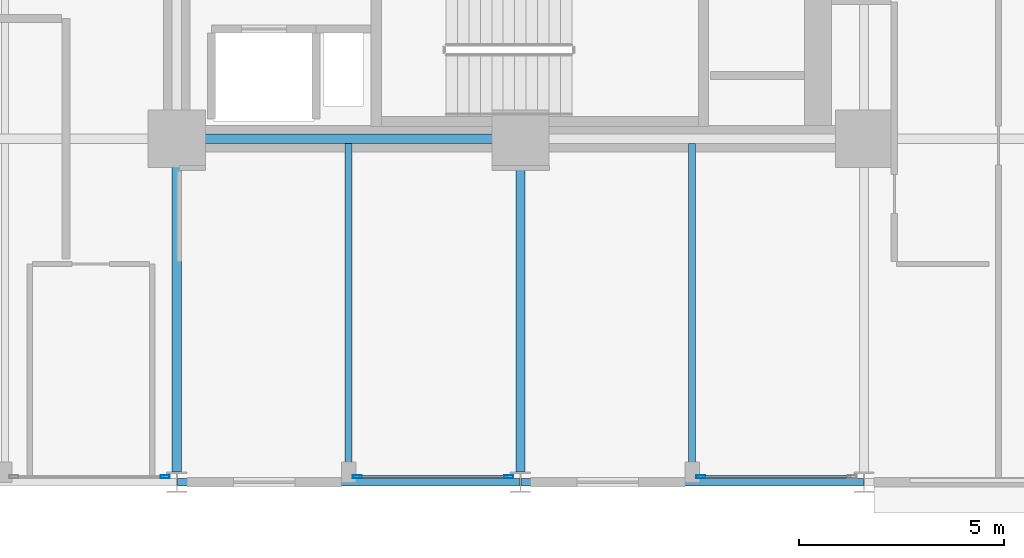
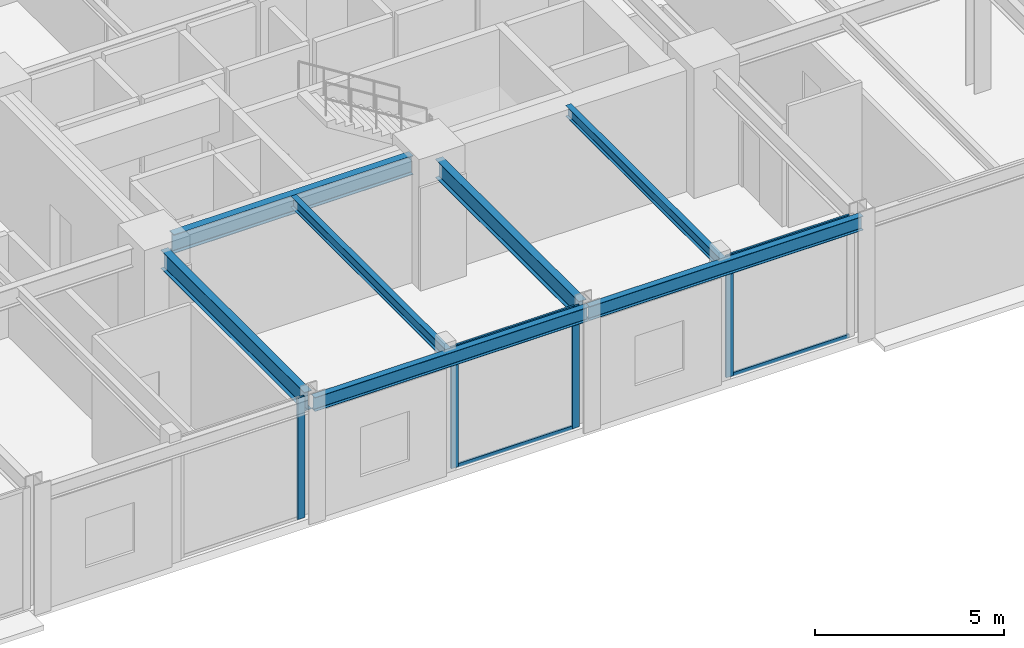
# One storey, part 6 of 27: 8 members, 7 beams, 3 elements without a shape of their own.
"""IFC4 building model written with IfcOpenShell, lengths in metres."""

from ifc_helpers import new_model, si_unit, direction, frame, origin, origin_2d, place, context, subcontext, project, spatial, hollow_rectangle, i_section, extrude, material, layer, layer_set, material_profile, profile_set, type_object, element, aggregate, save


model = new_model("IFC4")

# Units and contexts
model_context = context("Model", 3, precision=1e-05, world=origin(), true_north=direction((0.0, 1.0)))
body_context = subcontext(model_context, "Body", "Model", "MODEL_VIEW")
ifc_project = project(units=[si_unit("LENGTHUNIT", "METRE"), si_unit("AREAUNIT", "SQUARE_METRE"), si_unit("VOLUMEUNIT", "CUBIC_METRE"), si_unit("PLANEANGLEUNIT", "RADIAN"), si_unit("MASSUNIT", "GRAM", prefix="KILO")], contexts=[model_context])

# Site, building, storey
site_placement = place(None, origin())
site = spatial("IfcSite", under=ifc_project, at=site_placement, CompositionType="ELEMENT")
building_placement = place(site_placement, origin())
building = spatial("IfcBuilding", under=site, at=building_placement, Name="Nerrivon Quay Data Exchange", CompositionType="ELEMENT")
storey_placement = place(building_placement, frame((0.0, 0.0, 66.800048828125)))
storey = spatial("IfcBuildingStorey", under=building, at=storey_placement, Name="L15", CompositionType="ELEMENT", Elevation=66.800048828125)

# Beams
ifc_material_1 = material(Name="Steel Grade 350", Category="steel")
ifc_material_profile_1 = material_profile(ifc_material_1, i_section(OverallWidth=0.22900390625, OverallDepth=0.612060546875, WebThickness=0.011962890625, FlangeThickness=0.01953125, FilletRadius=0.013916015625, at=origin_2d()), Name="610UB125")
ifc_profile_set_1 = profile_set([ifc_material_profile_1], Name="Steel Grade 350")
beam_type_1 = type_object("IfcBeamType", Name="BM-G1-610UB125", PredefinedType="BEAM", material=ifc_profile_set_1)
beam_1_placement = place(storey_placement, frame((17.340087890625, 8.39990234375, 3.618896484375), z_axis=(1.0, 0.0, 0.0), x_axis=(0.0, 1.0, 0.0)))
element("IfcBeam", 1, at=beam_1_placement, inside=storey, type_object=beam_type_1, Name="L15 EW Girder Y=8.4 (16.8..25.2)", PredefinedType="BEAM", context=body_context, shape_type="SweptSolid", body=[
    extrude(i_section(OverallWidth=0.22900390625, OverallDepth=0.612060546875, WebThickness=0.011962890625, FlangeThickness=0.01953125, FilletRadius=0.013916015625, at=origin_2d()), origin(), (0.0, 0.0, 1.0), 7.31982421875),
])
ifc_material_profile_2 = material_profile(ifc_material_1, i_section(OverallWidth=0.22802734375, OverallDepth=0.60205078125, WebThickness=0.010498046875, FlangeThickness=0.014892578125, FilletRadius=0.013916015625, at=origin_2d()), Name="610UB101")
ifc_profile_set_2 = profile_set([ifc_material_profile_2], Name="Steel Grade 350")
beam_type_2 = type_object("IfcBeamType", Name="BM-G2-610UB101", PredefinedType="BEAM", material=ifc_profile_set_2)
for number, where, z_axis, x_axis, name in (
    (2, (16.800048828125, 0.25, 3.6240234375), (0.0, 1.0, 0.0), (-1.0, 0.0, 0.0), "L15 NS Girder X=16.8 (0.0..8.4)"),
    (3, (25.199951171875, 0.25, 3.6240234375), (0.0, 1.0, 0.0), (-1.0, 0.0, 0.0), "L15 NS Girder X=25.2 (0.0..8.4)"),
):
    element("IfcBeam", number, at=place(storey_placement, frame(where, z_axis=z_axis, x_axis=x_axis)), inside=storey, type_object=beam_type_2, Name=name, PredefinedType="BEAM", context=body_context, shape_type="SweptSolid", body=[
        extrude(i_section(OverallWidth=0.22802734375, OverallDepth=0.60205078125, WebThickness=0.010498046875, FlangeThickness=0.014892578125, FilletRadius=0.013916015625, at=origin_2d()), origin(), (0.0, 0.0, 1.0), 7.610107421875),
    ])
ifc_material_profile_3 = material_profile(ifc_material_1, i_section(OverallWidth=0.172119140625, OverallDepth=0.35888671875, WebThickness=0.008056640625, FlangeThickness=0.012939453125, FilletRadius=0.011474609375, at=origin_2d()), Name="360UB56.7")
ifc_profile_set_3 = profile_set([ifc_material_profile_3], Name="Steel Grade 350")
beam_type_3 = type_object("IfcBeamType", Name="BM-J3-360UB57", PredefinedType="JOIST", material=ifc_profile_set_3)
for number, where, z_axis, x_axis, name in (
    (4, (21.0, 0.094970703125, 3.745361328125), (0.0, 1.0, 0.0), (-1.0, 0.0, 0.0), "L15 Secondary Joist X=21.0 (0.0..8.4)"),
    (5, (29.39990234375, 0.094970703125, 3.745361328125), (0.0, 1.0, 0.0), (-1.0, 0.0, 0.0), "L15 Secondary Joist X=29.4 (0.0..8.4)"),
):
    element("IfcBeam", number, at=place(storey_placement, frame(where, z_axis=z_axis, x_axis=x_axis)), inside=storey, type_object=beam_type_3, Name=name, PredefinedType="JOIST", context=body_context, shape_type="SweptSolid", body=[
        extrude(i_section(OverallWidth=0.172119140625, OverallDepth=0.35888671875, WebThickness=0.008056640625, FlangeThickness=0.012939453125, FilletRadius=0.011474609375, at=origin_2d()), origin(), (0.0, 0.0, 1.0), 8.1904296875),
    ])
ifc_material_profile_4 = material_profile(ifc_material_1, i_section(OverallWidth=0.18994140625, OverallDepth=0.4541015625, WebThickness=0.008544921875, FlangeThickness=0.0126953125, FilletRadius=0.011474609375, at=origin_2d()), Name="460UB67.1")
ifc_profile_set_4 = profile_set([ifc_material_profile_4], Name="Steel Grade 350")
beam_type_4 = type_object("IfcBeamType", Name="BM-SP1-460UB67", PredefinedType="SPANDREL", material=ifc_profile_set_4)
beam_2_placement = place(storey_placement, frame((16.81396484375, 0.0, 3.697998046875), z_axis=(1.0, 0.0, 0.0), x_axis=(0.0, 1.0, 0.0)))
element("IfcBeam", 6, at=beam_2_placement, inside=storey, type_object=beam_type_4, Name="L15 EW Girder Y=0.0 (16.8..25.2)", PredefinedType="SPANDREL", context=body_context, shape_type="SweptSolid", body=[
    extrude(i_section(OverallWidth=0.18994140625, OverallDepth=0.4541015625, WebThickness=0.008544921875, FlangeThickness=0.0126953125, FilletRadius=0.011474609375, at=origin_2d()), origin(), (0.0, 0.0, 1.0), 8.3720703125),
])
beam_3_placement = place(storey_placement, frame((25.214111328125, 0.0, 3.697998046875), z_axis=(1.0, 0.0, 0.0), x_axis=(0.0, 1.0, 0.0)))
element("IfcBeam", 7, at=beam_3_placement, inside=storey, type_object=beam_type_4, Name="L15 EW Girder Y=0.0 (25.2..33.6)", PredefinedType="SPANDREL", context=body_context, shape_type="SweptSolid", body=[
    extrude(i_section(OverallWidth=0.18994140625, OverallDepth=0.4541015625, WebThickness=0.008544921875, FlangeThickness=0.0126953125, FilletRadius=0.011474609375, at=origin_2d()), origin(), (0.0, 0.0, 1.0), 8.371826171875),
])

# Curtain wall, member
ifc_material_2 = material(Name="Anodised aluminium 6063-T6", Category="aluminium")
ifc_layer = layer(ifc_material_2, 0.219970703125)
ifc_layer_set = layer_set([ifc_layer], Name="Anodised aluminium 6063-T6")
curtain_wall_type = type_object("IfcCurtainWallType", Name="CW-SYS-01", PredefinedType="NOTDEFINED", material=ifc_layer_set)
curtain_wall_1_placement = place(storey_placement, origin())
curtain_wall_1 = element("IfcCurtainWall", 8, at=curtain_wall_1_placement, inside=storey, type_object=curtain_wall_type, Name="L15 Unitised Curtain Wall 8", PredefinedType="NOTDEFINED")
ifc_material_profile_5 = material_profile(ifc_material_2, hollow_rectangle(XDim=0.074951171875, YDim=0.219970703125, WallThickness=0.00390625, at=origin_2d()), Name="ALU-MULL-220x75")
ifc_profile_set_5 = profile_set([ifc_material_profile_5], Name="Anodised aluminium 6063-T6")
member_type_1 = type_object("IfcMemberType", Name="CWM-220x75", PredefinedType="MULLION", material=ifc_profile_set_5)
member_1_placement = place(storey_placement, frame((29.612548828125, 0.139892578125, 0.0), z_axis=(0.0, 0.0, 1.0), x_axis=(0.0, -1.0, 0.0)))
member_1 = element("IfcMember", 9, at=member_1_placement, type_object=member_type_1, Name="CW01 mullion 2", PredefinedType="MULLION", context=body_context, shape_type="SweptSolid", body=[
    extrude(hollow_rectangle(XDim=0.074951171875, YDim=0.219970703125, WallThickness=0.00390625, at=origin_2d()), origin(), (0.0, 0.0, 1.0), 3.925048828125),
])

# Curtain wall, members
curtain_wall_2_placement = place(storey_placement, origin())
curtain_wall_2 = element("IfcCurtainWall", 10, at=curtain_wall_2_placement, inside=storey, type_object=curtain_wall_type, Name="L15 Unitised Curtain Wall 10", PredefinedType="NOTDEFINED")
member_2_placement = place(storey_placement, frame((24.91259765625, 0.139892578125, 0.0), z_axis=(0.0, 0.0, 1.0), x_axis=(0.0, -1.0, 0.0)))
member_2 = element("IfcMember", 11, at=member_2_placement, type_object=member_type_1, Name="CW01 mullion 1", PredefinedType="MULLION", context=body_context, shape_type="SweptSolid", body=[
    extrude(hollow_rectangle(XDim=0.074951171875, YDim=0.219970703125, WallThickness=0.00390625, at=origin_2d()), origin(), (0.0, 0.0, 1.0), 3.925048828125),
])
member_3_placement = place(storey_placement, frame((21.21240234375, 0.139892578125, 0.0), z_axis=(0.0, 0.0, 1.0), x_axis=(0.0, -1.0, 0.0)))
member_3 = element("IfcMember", 12, at=member_3_placement, type_object=member_type_1, Name="CW01 mullion 2", PredefinedType="MULLION", context=body_context, shape_type="SweptSolid", body=[
    extrude(hollow_rectangle(XDim=0.074951171875, YDim=0.219970703125, WallThickness=0.00390625, at=origin_2d()), origin(), (0.0, 0.0, 1.0), 3.925048828125),
])

# Curtain wall, member
curtain_wall_3_placement = place(storey_placement, origin())
curtain_wall_3 = element("IfcCurtainWall", 13, at=curtain_wall_3_placement, inside=storey, type_object=curtain_wall_type, Name="L15 Unitised Curtain Wall 12", PredefinedType="NOTDEFINED")
member_4_placement = place(storey_placement, frame((16.512451171875, 0.139892578125, 0.0), z_axis=(0.0, 0.0, 1.0), x_axis=(0.0, -1.0, 0.0)))
member_4 = element("IfcMember", 14, at=member_4_placement, type_object=member_type_1, Name="CW01 mullion 1", PredefinedType="MULLION", context=body_context, shape_type="SweptSolid", body=[
    extrude(hollow_rectangle(XDim=0.074951171875, YDim=0.219970703125, WallThickness=0.00390625, at=origin_2d()), origin(), (0.0, 0.0, 1.0), 3.925048828125),
])
aggregate(curtain_wall_3, [member_4])

# Member
ifc_material_profile_6 = material_profile(ifc_material_2, hollow_rectangle(XDim=0.06005859375, YDim=0.1201171875, WallThickness=0.003173828125, at=origin_2d()), Name="ALU-TRAN-120x60")
ifc_profile_set_6 = profile_set([ifc_material_profile_6], Name="Anodised aluminium 6063-T6")
member_type_2 = type_object("IfcMemberType", Name="CWT-120x60", PredefinedType="USERDEFINED", material=ifc_profile_set_6)
member_5_placement = place(storey_placement, frame((33.27490234375, 0.139892578125, 0.032470703125), z_axis=(-1.0, 0.0, 0.0), x_axis=(0.0, -1.0, 0.0)))
member_5 = element("IfcMember", 15, at=member_5_placement, type_object=member_type_2, Name="CW01 transom 1.1", ObjectType="TRANSOM", PredefinedType="USERDEFINED", context=body_context, shape_type="SweptSolid", body=[
    extrude(hollow_rectangle(XDim=0.06005859375, YDim=0.1201171875, WallThickness=0.003173828125, at=origin_2d()), origin(), (0.0, 0.0, 1.0), 3.625),
])

member_6_placement = place(storey_placement, frame((33.27490234375, 0.139892578125, 3.892333984375), z_axis=(-1.0, 0.0, 0.0), x_axis=(0.0, -1.0, 0.0)))
member_6 = element("IfcMember", 16, at=member_6_placement, type_object=member_type_2, Name="CW01 transom 1.2", ObjectType="TRANSOM", PredefinedType="USERDEFINED", context=body_context, shape_type="SweptSolid", body=[
    extrude(hollow_rectangle(XDim=0.06005859375, YDim=0.1201171875, WallThickness=0.003173828125, at=origin_2d()), origin(), (0.0, 0.0, 1.0), 3.625),
])

aggregate(curtain_wall_1, [member_1, member_5, member_6])

member_7_placement = place(storey_placement, frame((24.875, 0.139892578125, 0.032470703125), z_axis=(-1.0, 0.0, 0.0), x_axis=(0.0, -1.0, 0.0)))
member_7 = element("IfcMember", 17, at=member_7_placement, type_object=member_type_2, Name="CW01 transom 1.1", ObjectType="TRANSOM", PredefinedType="USERDEFINED", context=body_context, shape_type="SweptSolid", body=[
    extrude(hollow_rectangle(XDim=0.06005859375, YDim=0.1201171875, WallThickness=0.003173828125, at=origin_2d()), origin(), (0.0, 0.0, 1.0), 3.625),
])

member_8_placement = place(storey_placement, frame((24.875, 0.139892578125, 3.892333984375), z_axis=(-1.0, 0.0, 0.0), x_axis=(0.0, -1.0, 0.0)))
member_8 = element("IfcMember", 18, at=member_8_placement, type_object=member_type_2, Name="CW01 transom 1.2", ObjectType="TRANSOM", PredefinedType="USERDEFINED", context=body_context, shape_type="SweptSolid", body=[
    extrude(hollow_rectangle(XDim=0.06005859375, YDim=0.1201171875, WallThickness=0.003173828125, at=origin_2d()), origin(), (0.0, 0.0, 1.0), 3.625),
])

aggregate(curtain_wall_2, [member_2, member_3, member_7, member_8])

save(model, "model.ifc")
